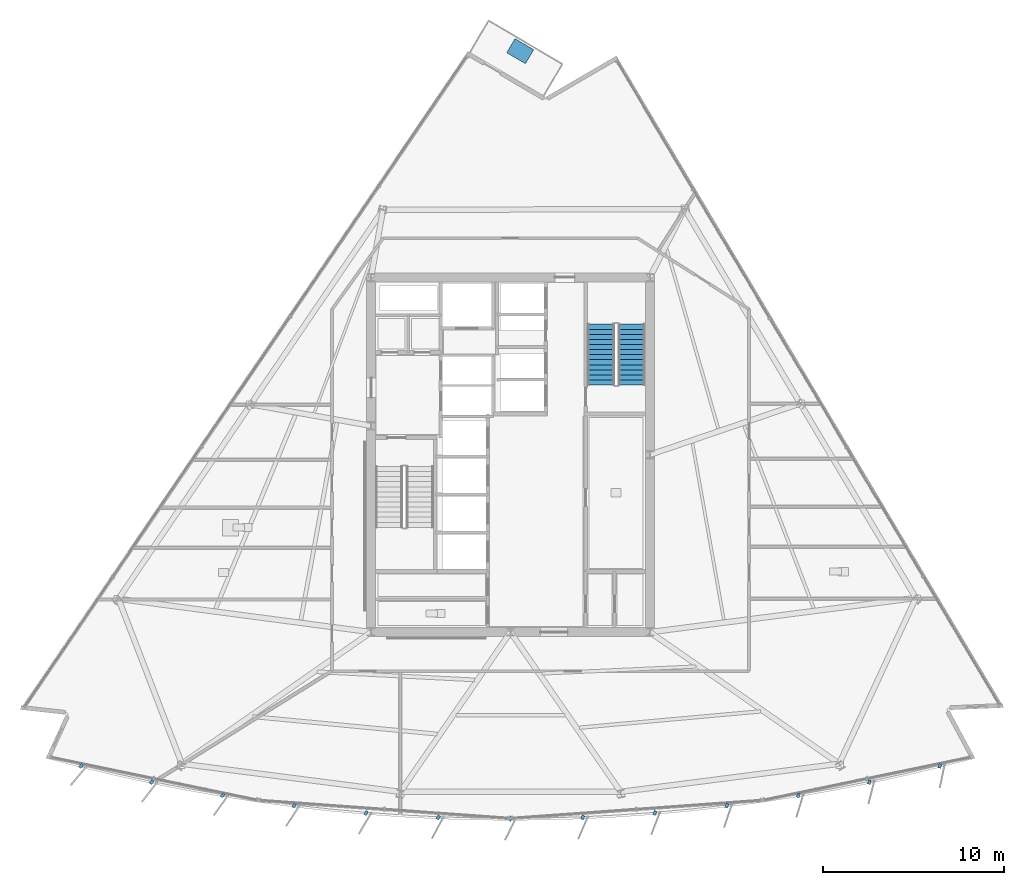
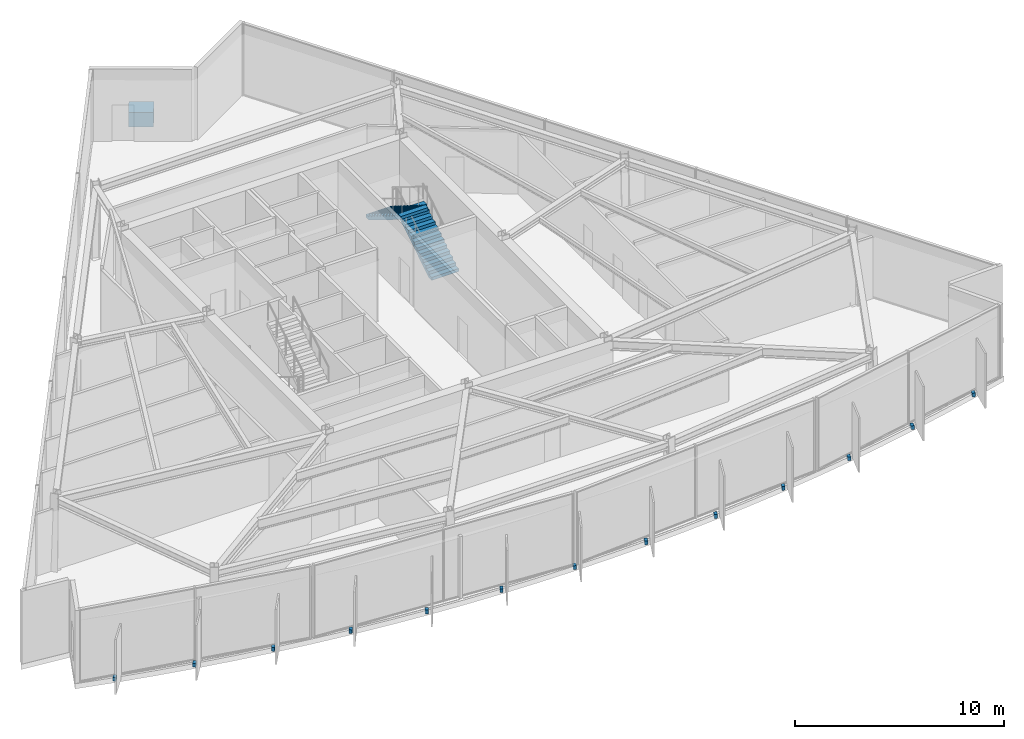
# One storey, part 9 of 14: 14 discrete accessories, 2 stair flights, 1 element without a shape of its own.
"""IFC4 building model written with IfcOpenShell, lengths in metres."""

from ifc_helpers import new_model, si_unit, direction, frame, origin, origin_2d, place, context, subcontext, project, spatial, polyline, rectangle, outline, extrude, material, type_object, element, aggregate, save


model = new_model("IFC4")

# Units and contexts
model_context = context("Model", 3, precision=1e-05, world=origin(), true_north=direction((0.0, 1.0)))
body_context = subcontext(model_context, "Body", "Model", "MODEL_VIEW")
ifc_project = project(units=[si_unit("LENGTHUNIT", "METRE"), si_unit("AREAUNIT", "SQUARE_METRE"), si_unit("VOLUMEUNIT", "CUBIC_METRE"), si_unit("PLANEANGLEUNIT", "RADIAN"), si_unit("MASSUNIT", "GRAM", prefix="KILO")], contexts=[model_context])

# Site, building, storey
site_placement = place(None, origin())
site = spatial("IfcSite", under=ifc_project, at=site_placement, CompositionType="ELEMENT")
building_placement = place(site_placement, origin())
building = spatial("IfcBuilding", under=site, at=building_placement, Name="Savorim Split Tower", CompositionType="ELEMENT")
storey_placement = place(building_placement, frame((0.0, 0.0, 134.10009765625)))
storey = spatial("IfcBuildingStorey", under=building, at=storey_placement, Name="L35", CompositionType="ELEMENT", Elevation=134.10009765625)

# Stair, stair flights
ifc_material_1 = material(Name="Concrete C50/60", Category="concrete")
stair_type = type_object("IfcStairType", Name="STR-DOG-4500", PredefinedType="HALF_TURN_STAIR", material=ifc_material_1)
stair_placement = place(storey_placement, origin())
stair = element("IfcStair", 1, at=stair_placement, inside=storey, type_object=stair_type, Name="L35 Core Protected Exit Stair ST-2", PredefinedType="HALF_TURN_STAIR")
stair_flight_type = type_object("IfcStairFlightType", Name="SFL-DOG-4500", PredefinedType="STRAIGHT", material=ifc_material_1)
stair_flight_1_placement = place(storey_placement, frame((6.699951171875, 4.25, 0.0), z_axis=(0.0, 0.0, 1.0), x_axis=(0.0, 1.0, 0.0)))
stair_flight_1 = element("IfcStairFlight", 2, at=stair_flight_1_placement, type_object=stair_flight_type, Name="ST-2 flight 1", NumberOfRisers=13, NumberOfTreads=12, PredefinedType="STRAIGHT", RiserHeight=0.173076923, TreadLength=0.28, context=body_context, shape_type="SweptSolid", body=[
    extrude(outline(polyline([(0.0, 0.0), (0.0, 0.173095703125), (0.280029296875, 0.173095703125), (0.280029296875, 0.34619140625), (0.56005859375, 0.34619140625), (0.56005859375, 0.519287109375), (0.840087890625, 0.519287109375), (0.840087890625, 0.6923828125), (1.1201171875, 0.6923828125), (1.1201171875, 0.865478515625), (1.39990234375, 0.865478515625), (1.39990234375, 1.03857421875), (1.679931640625, 1.03857421875), (1.679931640625, 1.21142578125), (1.9599609375, 1.21142578125), (1.9599609375, 1.384521484375), (2.239990234375, 1.384521484375), (2.239990234375, 1.5576171875), (2.52001953125, 1.5576171875), (2.52001953125, 1.730712890625), (2.800048828125, 1.730712890625), (2.800048828125, 1.90380859375), (3.080078125, 1.90380859375), (3.080078125, 2.076904296875), (3.360107421875, 2.076904296875), (3.360107421875, 2.25), (3.360107421875, 1.900634765625), (0.28515625, 0.0), (0.0, 0.0)])), frame((0.0, 0.75, 0.0), z_axis=(0.0, -1.0, 0.0), x_axis=(1.0, 0.0, 0.0)), (0.0, 0.0, 1.0), 1.5),
])
stair_flight_2_placement = place(storey_placement, frame((5.0, 7.610107421875, 2.25), z_axis=(0.0, 0.0, 1.0), x_axis=(0.0, -1.0, 0.0)))
stair_flight_2 = element("IfcStairFlight", 3, at=stair_flight_2_placement, type_object=stair_flight_type, Name="ST-2 flight 2", NumberOfRisers=13, NumberOfTreads=12, PredefinedType="STRAIGHT", RiserHeight=0.173076923, TreadLength=0.28, context=body_context, shape_type="SweptSolid", body=[
    extrude(outline(polyline([(0.0, 0.0), (0.0, 0.173095703125), (0.280029296875, 0.173095703125), (0.280029296875, 0.34619140625), (0.56005859375, 0.34619140625), (0.56005859375, 0.519287109375), (0.840087890625, 0.519287109375), (0.840087890625, 0.6923828125), (1.1201171875, 0.6923828125), (1.1201171875, 0.865478515625), (1.39990234375, 0.865478515625), (1.39990234375, 1.03857421875), (1.679931640625, 1.03857421875), (1.679931640625, 1.21142578125), (1.9599609375, 1.21142578125), (1.9599609375, 1.384521484375), (2.239990234375, 1.384521484375), (2.239990234375, 1.5576171875), (2.52001953125, 1.5576171875), (2.52001953125, 1.730712890625), (2.800048828125, 1.730712890625), (2.800048828125, 1.90380859375), (3.080078125, 1.90380859375), (3.080078125, 2.076904296875), (3.360107421875, 2.076904296875), (3.360107421875, 2.25), (3.360107421875, 1.900634765625), (0.28515625, 0.0), (0.0, 0.0)])), frame((0.0, 0.75, 0.0), z_axis=(0.0, -1.0, 0.0), x_axis=(1.0, 0.0, 0.0)), (0.0, 0.0, 1.0), 1.5),
])
aggregate(stair, [stair_flight_1, stair_flight_2])

# Discrete accessories
ifc_material_2 = material(Name="Steel S355", Category="steel")
discrete_accessory_type_1 = type_object("IfcDiscreteAccessoryType", Name="ACC-BRK-FIN", PredefinedType="BRACKET", material=ifc_material_2)
for number, where, z_axis, x_axis, name in (
    (4, (-23.720703125, -16.79443359375, -0.18994140625), (0.0, 0.0, 1.0), (-0.643719022682, -0.765261928909, 0.0), "L35 Fin Slab-Edge Cleat Bracket 01"),
    (5, (-19.828369140625, -17.685791015625, -0.18994140625), (0.0, 0.0, 1.0), (-0.611868076908, -0.790959832394, 0.0), "L35 Fin Slab-Edge Cleat Bracket 02"),
    (6, (-15.902587890625, -18.4169921875, -0.18994140625), (0.0, 0.0, 1.0), (-0.578993757737, -0.815331974414, 0.0), "L35 Fin Slab-Edge Cleat Bracket 03"),
    (7, (-11.950439453125, -18.987060546875, -0.18994140625), (0.0, 0.0, 1.0), (-0.545148321708, -0.838339613366, 0.0), "L35 Fin Slab-Edge Cleat Bracket 04"),
    (8, (-7.97802734375, -19.39501953125, -0.18994140625), (0.0, 0.0, 1.0), (-0.510391336723, -0.859942255851, 0.0), "L35 Fin Slab-Edge Cleat Bracket 05"),
    (9, (-3.992431640625, -19.639892578125, -0.18994140625), (0.0, 0.0, 1.0), (-0.474778051978, -0.880105562623, 0.0), "L35 Fin Slab-Edge Cleat Bracket 06"),
    (10, (0.0, -19.7216796875, -0.18994140625), (0.0, 0.0, 1.0), (-0.438371146789, -0.898794046299, 0.0), "L35 Fin Slab-Edge Cleat Bracket 07"),
    (11, (3.992431640625, -19.639892578125, -0.18994140625), (0.0, 0.0, 1.0), (-0.401230091723, -0.915977299662, 0.0), "L35 Fin Slab-Edge Cleat Bracket 08"),
    (12, (7.97802734375, -19.39501953125, -0.18994140625), (0.0, 0.0, 1.0), (-0.363415461732, -0.931627179817, 0.0), "L35 Fin Slab-Edge Cleat Bracket 09"),
    (13, (11.950439453125, -18.987060546875, -0.18994140625), (0.0, 0.0, 1.0), (-0.324993810493, -0.945716143005, 0.0), "L35 Fin Slab-Edge Cleat Bracket 10"),
    (14, (15.902587890625, -18.4169921875, -0.18994140625), (0.0, 0.0, 1.0), (-0.286026212504, -0.958221793616, 0.0), "L35 Fin Slab-Edge Cleat Bracket 11"),
    (15, (19.828369140625, -17.685791015625, -0.18994140625), (0.0, 0.0, 1.0), (-0.246581250663, -0.969122121727, 0.0), "L35 Fin Slab-Edge Cleat Bracket 12"),
    (16, (23.720703125, -16.79443359375, -0.18994140625), (0.0, 0.0, 1.0), (-0.206721626106, -0.978399800337, 0.0), "L35 Fin Slab-Edge Cleat Bracket 13"),
):
    element("IfcDiscreteAccessory", number, at=place(storey_placement, frame(where, z_axis=z_axis, x_axis=x_axis)), inside=storey, type_object=discrete_accessory_type_1, Name=name, PredefinedType="BRACKET", context=body_context, shape_type="SweptSolid", body=[
        extrude(rectangle(XDim=0.239990234375, YDim=0.159912109375, at=origin_2d()), origin(), (0.0, 0.0, 1.0), 0.219970703125),
    ])
ifc_material_3 = material(Name="Architectural Precast Planter Concrete C40/50", Category="concrete")
discrete_accessory_type_2 = type_object("IfcDiscreteAccessoryType", Name="ACC-PLN-TREE", PredefinedType="USERDEFINED", material=ifc_material_3)
discrete_accessory_placement = place(storey_placement, frame((0.53759765625, 22.694091796875, -0.000244140625), z_axis=(0.0, 0.0, 1.0), x_axis=(-0.862127461925, 0.506691463709, 0.0)))
element("IfcDiscreteAccessory", 17, at=discrete_accessory_placement, inside=storey, type_object=discrete_accessory_type_2, Name="L35 Balcony Precast Tree Planter N", ObjectType="PLANTER", PredefinedType="USERDEFINED", context=body_context, shape_type="SweptSolid", body=[
    extrude(rectangle(XDim=1.199951171875, YDim=0.89990234375, at=origin_2d()), origin(), (0.0, 0.0, 1.0), 0.85009765625),
])

save(model, "model.ifc")
